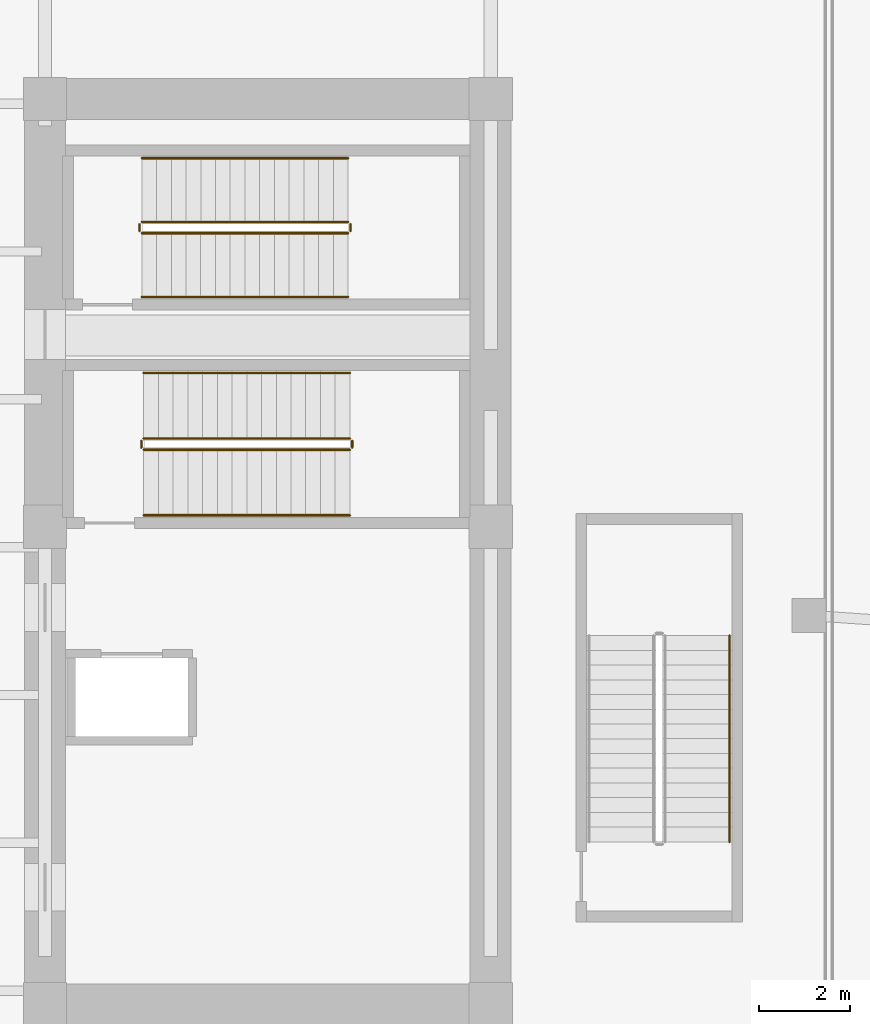
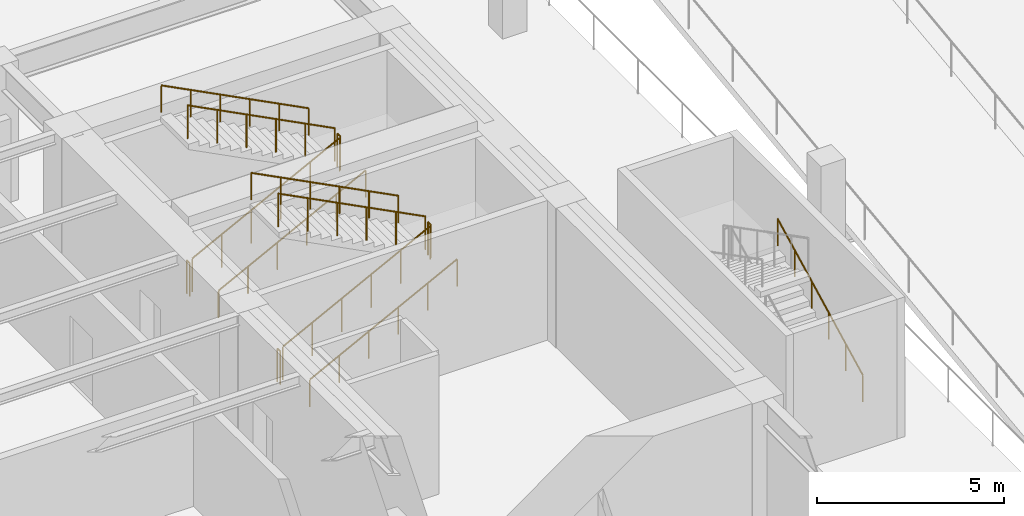
# One storey, part 11 of 12: 13 railings.
"""IFC4 building model written with IfcOpenShell, lengths in metres."""

from ifc_helpers import new_model, si_unit, direction, frame, origin, origin_2d, place, context, subcontext, project, spatial, circle, extrude, material, type_object, element, save


model = new_model("IFC4")

# Units and contexts
model_context = context("Model", 3, precision=1e-05, world=origin(), true_north=direction((0.0, 1.0)))
body_context = subcontext(model_context, "Body", "Model", "MODEL_VIEW")
ifc_project = project(units=[si_unit("LENGTHUNIT", "METRE"), si_unit("AREAUNIT", "SQUARE_METRE"), si_unit("VOLUMEUNIT", "CUBIC_METRE"), si_unit("PLANEANGLEUNIT", "RADIAN"), si_unit("MASSUNIT", "GRAM", prefix="KILO")], contexts=[model_context])

# Site, building, storey
site_placement = place(None, origin())
site = spatial("IfcSite", under=ifc_project, at=site_placement, CompositionType="ELEMENT")
building_placement = place(site_placement, origin())
building = spatial("IfcBuilding", under=site, at=building_placement, Name="Kolvaren Arena Tower", CompositionType="ELEMENT")
storey_placement = place(building_placement, frame((0.0, 0.0, -5.0)))
storey = spatial("IfcBuildingStorey", under=building, at=storey_placement, Name="B01", CompositionType="ELEMENT", Elevation=-5.0)

# Railings
ifc_material_1 = material(Name="Painted galvanized steel", Category="steel")
railing_type_1 = type_object("IfcRailingType", Name="GUARD-ST-110", PredefinedType="GUARDRAIL", material=ifc_material_1)
railing_1_placement = place(storey_placement, frame((52.719970703125, 31.639892578125, 0.166748046875)))
element("IfcRailing", 1, at=railing_1_placement, inside=storey, type_object=railing_type_1, Name="B01 ST-E1 stair guard 1", PredefinedType="GUARDRAIL", context=body_context, shape_type="SweptSolid", body=[
    extrude(circle(Radius=0.02392578125, at=origin_2d()), frame((0.0, 0.0, 1.076171875), z_axis=(0.889257211316, 0.0, 0.457407490234), x_axis=(0.0, 1.0, 0.0)), (0.0, 0.0, 1.0), 5.10107421875),
    extrude(circle(Radius=0.02099609375, at=origin_2d()), origin(), (0.0, 0.0, 1.0), 1.052001953125),
    extrude(circle(Radius=0.02099609375, at=origin_2d()), frame((0.9072265625, 0.0, 0.466552734375)), (0.0, 0.0, 1.0), 1.052001953125),
    extrude(circle(Radius=0.02099609375, at=origin_2d()), frame((1.814453125, 0.0, 0.933349609375)), (0.0, 0.0, 1.0), 1.052001953125),
    extrude(circle(Radius=0.02099609375, at=origin_2d()), frame((2.7216796875, 0.0, 1.39990234375)), (0.0, 0.0, 1.0), 1.052001953125),
    extrude(circle(Radius=0.02099609375, at=origin_2d()), frame((3.62890625, 0.0, 1.86669921875)), (0.0, 0.0, 1.0), 1.052001953125),
    extrude(circle(Radius=0.02099609375, at=origin_2d()), frame((4.5361328125, 0.0, 2.333251953125)), (0.0, 0.0, 1.0), 1.052001953125),
])
railing_2_placement = place(storey_placement, frame((57.305908203125, 31.68994140625, 2.5)))
element("IfcRailing", 2, at=railing_2_placement, inside=storey, type_object=railing_type_1, Name="B01 ST-E1 stair guard 2", PredefinedType="GUARDRAIL", context=body_context, shape_type="SweptSolid", body=[
    extrude(circle(Radius=0.02392578125, at=origin_2d()), frame((0.0, 0.0, 1.076171875), z_axis=(0.0, 1.0, 0.0), x_axis=(-1.0, 0.0, 0.0)), (0.0, 0.0, 1.0), 0.150146484375),
    extrude(circle(Radius=0.02099609375, at=origin_2d()), origin(), (0.0, 0.0, 1.0), 1.052001953125),
    extrude(circle(Radius=0.02099609375, at=origin_2d()), frame((0.0, 0.150146484375, 0.0)), (0.0, 0.0, 1.0), 1.052001953125),
])
railing_3_placement = place(storey_placement, frame((57.256103515625, 31.889892578125, 2.666748046875)))
element("IfcRailing", 3, at=railing_3_placement, inside=storey, type_object=railing_type_1, Name="B01 ST-E1 stair guard 3", PredefinedType="GUARDRAIL", context=body_context, shape_type="SweptSolid", body=[
    extrude(circle(Radius=0.02392578125, at=origin_2d()), frame((0.0, 0.0, 1.076171875), z_axis=(-0.889257211316, 0.0, 0.457407490234), x_axis=(0.0, -1.0, 0.0)), (0.0, 0.0, 1.0), 5.10107421875),
    extrude(circle(Radius=0.02099609375, at=origin_2d()), origin(), (0.0, 0.0, 1.0), 1.052001953125),
    extrude(circle(Radius=0.02099609375, at=origin_2d()), frame((-0.9072265625, 0.0, 0.466552734375)), (0.0, 0.0, 1.0), 1.052001953125),
    extrude(circle(Radius=0.02099609375, at=origin_2d()), frame((-1.814453125, 0.0, 0.933349609375)), (0.0, 0.0, 1.0), 1.052001953125),
    extrude(circle(Radius=0.02099609375, at=origin_2d()), frame((-2.7216796875, 0.0, 1.39990234375)), (0.0, 0.0, 1.0), 1.052001953125),
    extrude(circle(Radius=0.02099609375, at=origin_2d()), frame((-3.62890625, 0.0, 1.86669921875)), (0.0, 0.0, 1.0), 1.052001953125),
    extrude(circle(Radius=0.02099609375, at=origin_2d()), frame((-4.5361328125, 0.0, 2.333251953125)), (0.0, 0.0, 1.0), 1.052001953125),
])
railing_4_placement = place(storey_placement, frame((52.669921875, 31.68994140625, 0.0)))
element("IfcRailing", 4, at=railing_4_placement, inside=storey, type_object=railing_type_1, Name="B01 ST-E1 stair guard 4", PredefinedType="GUARDRAIL", context=body_context, shape_type="SweptSolid", body=[
    extrude(circle(Radius=0.02392578125, at=origin_2d()), frame((0.0, 0.0, 1.076171875), z_axis=(0.0, 1.0, 0.0), x_axis=(-1.0, 0.0, 0.0)), (0.0, 0.0, 1.0), 0.150146484375),
    extrude(circle(Radius=0.02099609375, at=origin_2d()), origin(), (0.0, 0.0, 1.0), 1.052001953125),
    extrude(circle(Radius=0.02099609375, at=origin_2d()), frame((0.0, 0.150146484375, 0.0)), (0.0, 0.0, 1.0), 1.052001953125),
])
railing_5_placement = place(storey_placement, frame((52.679931640625, 36.39990234375, 0.166748046875)))
element("IfcRailing", 5, at=railing_5_placement, inside=storey, type_object=railing_type_1, Name="B01 ST-E2 stair guard 1", PredefinedType="GUARDRAIL", context=body_context, shape_type="SweptSolid", body=[
    extrude(circle(Radius=0.02392578125, at=origin_2d()), frame((0.0, 0.0, 1.076171875), z_axis=(0.889257211316, 0.0, 0.457407490234), x_axis=(0.0, 1.0, 0.0)), (0.0, 0.0, 1.0), 5.10107421875),
    extrude(circle(Radius=0.02099609375, at=origin_2d()), origin(), (0.0, 0.0, 1.0), 1.052001953125),
    extrude(circle(Radius=0.02099609375, at=origin_2d()), frame((0.9072265625, 0.0, 0.466552734375)), (0.0, 0.0, 1.0), 1.052001953125),
    extrude(circle(Radius=0.02099609375, at=origin_2d()), frame((1.814453125, 0.0, 0.933349609375)), (0.0, 0.0, 1.0), 1.052001953125),
    extrude(circle(Radius=0.02099609375, at=origin_2d()), frame((2.7216796875, 0.0, 1.39990234375)), (0.0, 0.0, 1.0), 1.052001953125),
    extrude(circle(Radius=0.02099609375, at=origin_2d()), frame((3.62890625, 0.0, 1.86669921875)), (0.0, 0.0, 1.0), 1.052001953125),
    extrude(circle(Radius=0.02099609375, at=origin_2d()), frame((4.5361328125, 0.0, 2.333251953125)), (0.0, 0.0, 1.0), 1.052001953125),
])
railing_6_placement = place(storey_placement, frame((57.26611328125, 36.449951171875, 2.5)))
element("IfcRailing", 6, at=railing_6_placement, inside=storey, type_object=railing_type_1, Name="B01 ST-E2 stair guard 2", PredefinedType="GUARDRAIL", context=body_context, shape_type="SweptSolid", body=[
    extrude(circle(Radius=0.02392578125, at=origin_2d()), frame((0.0, 0.0, 1.076171875), z_axis=(0.0, 1.0, 0.0), x_axis=(-1.0, 0.0, 0.0)), (0.0, 0.0, 1.0), 0.150146484375),
    extrude(circle(Radius=0.02099609375, at=origin_2d()), origin(), (0.0, 0.0, 1.0), 1.052001953125),
    extrude(circle(Radius=0.02099609375, at=origin_2d()), frame((0.0, 0.150146484375, 0.0)), (0.0, 0.0, 1.0), 1.052001953125),
])
railing_7_placement = place(storey_placement, frame((57.216064453125, 36.64990234375, 2.666748046875)))
element("IfcRailing", 7, at=railing_7_placement, inside=storey, type_object=railing_type_1, Name="B01 ST-E2 stair guard 3", PredefinedType="GUARDRAIL", context=body_context, shape_type="SweptSolid", body=[
    extrude(circle(Radius=0.02392578125, at=origin_2d()), frame((0.0, 0.0, 1.076171875), z_axis=(-0.889257211316, 0.0, 0.457407490234), x_axis=(0.0, -1.0, 0.0)), (0.0, 0.0, 1.0), 5.10107421875),
    extrude(circle(Radius=0.02099609375, at=origin_2d()), origin(), (0.0, 0.0, 1.0), 1.052001953125),
    extrude(circle(Radius=0.02099609375, at=origin_2d()), frame((-0.9072265625, 0.0, 0.466552734375)), (0.0, 0.0, 1.0), 1.052001953125),
    extrude(circle(Radius=0.02099609375, at=origin_2d()), frame((-1.814453125, 0.0, 0.933349609375)), (0.0, 0.0, 1.0), 1.052001953125),
    extrude(circle(Radius=0.02099609375, at=origin_2d()), frame((-2.7216796875, 0.0, 1.39990234375)), (0.0, 0.0, 1.0), 1.052001953125),
    extrude(circle(Radius=0.02099609375, at=origin_2d()), frame((-3.62890625, 0.0, 1.86669921875)), (0.0, 0.0, 1.0), 1.052001953125),
    extrude(circle(Radius=0.02099609375, at=origin_2d()), frame((-4.5361328125, 0.0, 2.333251953125)), (0.0, 0.0, 1.0), 1.052001953125),
])
railing_8_placement = place(storey_placement, frame((52.6298828125, 36.449951171875, 0.0)))
element("IfcRailing", 8, at=railing_8_placement, inside=storey, type_object=railing_type_1, Name="B01 ST-E2 stair guard 4", PredefinedType="GUARDRAIL", context=body_context, shape_type="SweptSolid", body=[
    extrude(circle(Radius=0.02392578125, at=origin_2d()), frame((0.0, 0.0, 1.076171875), z_axis=(0.0, 1.0, 0.0), x_axis=(-1.0, 0.0, 0.0)), (0.0, 0.0, 1.0), 0.150146484375),
    extrude(circle(Radius=0.02099609375, at=origin_2d()), origin(), (0.0, 0.0, 1.0), 1.052001953125),
    extrude(circle(Radius=0.02099609375, at=origin_2d()), frame((0.0, 0.150146484375, 0.0)), (0.0, 0.0, 1.0), 1.052001953125),
])
ifc_material_2 = material(Name="Brushed stainless steel handrail", Category="steel")
railing_type_2 = type_object("IfcRailingType", Name="HRAIL-900", PredefinedType="HANDRAIL", material=ifc_material_2)
railing_9_placement = place(storey_placement, frame((52.719970703125, 30.199951171875, 0.166748046875)))
element("IfcRailing", 9, at=railing_9_placement, inside=storey, type_object=railing_type_2, Name="B01 ST-E1 stair handrail 1", PredefinedType="HANDRAIL", context=body_context, shape_type="SweptSolid", body=[
    extrude(circle(Radius=0.02392578125, at=origin_2d()), frame((0.0, 0.0, 0.8759765625), z_axis=(0.889257211316, 0.0, 0.457407490234), x_axis=(0.0, 1.0, 0.0)), (0.0, 0.0, 1.0), 5.10107421875),
    extrude(circle(Radius=0.02099609375, at=origin_2d()), origin(), (0.0, 0.0, 1.0), 0.851806640625),
    extrude(circle(Radius=0.02099609375, at=origin_2d()), frame((0.9072265625, 0.0, 0.466552734375)), (0.0, 0.0, 1.0), 0.851806640625),
    extrude(circle(Radius=0.02099609375, at=origin_2d()), frame((1.814453125, 0.0, 0.933349609375)), (0.0, 0.0, 1.0), 0.851806640625),
    extrude(circle(Radius=0.02099609375, at=origin_2d()), frame((2.7216796875, 0.0, 1.39990234375)), (0.0, 0.0, 1.0), 0.851806640625),
    extrude(circle(Radius=0.02099609375, at=origin_2d()), frame((3.62890625, 0.0, 1.86669921875)), (0.0, 0.0, 1.0), 0.851806640625),
    extrude(circle(Radius=0.02099609375, at=origin_2d()), frame((4.5361328125, 0.0, 2.333251953125)), (0.0, 0.0, 1.0), 0.851806640625),
])
railing_10_placement = place(storey_placement, frame((57.256103515625, 33.330078125, 2.666748046875)))
element("IfcRailing", 10, at=railing_10_placement, inside=storey, type_object=railing_type_2, Name="B01 ST-E1 stair handrail 2", PredefinedType="HANDRAIL", context=body_context, shape_type="SweptSolid", body=[
    extrude(circle(Radius=0.02392578125, at=origin_2d()), frame((0.0, 0.0, 0.8759765625), z_axis=(-0.889257211316, 0.0, 0.457407490234), x_axis=(0.0, -1.0, 0.0)), (0.0, 0.0, 1.0), 5.10107421875),
    extrude(circle(Radius=0.02099609375, at=origin_2d()), origin(), (0.0, 0.0, 1.0), 0.851806640625),
    extrude(circle(Radius=0.02099609375, at=origin_2d()), frame((-0.9072265625, 0.0, 0.466552734375)), (0.0, 0.0, 1.0), 0.851806640625),
    extrude(circle(Radius=0.02099609375, at=origin_2d()), frame((-1.814453125, 0.0, 0.933349609375)), (0.0, 0.0, 1.0), 0.851806640625),
    extrude(circle(Radius=0.02099609375, at=origin_2d()), frame((-2.7216796875, 0.0, 1.39990234375)), (0.0, 0.0, 1.0), 0.851806640625),
    extrude(circle(Radius=0.02099609375, at=origin_2d()), frame((-3.62890625, 0.0, 1.86669921875)), (0.0, 0.0, 1.0), 0.851806640625),
    extrude(circle(Radius=0.02099609375, at=origin_2d()), frame((-4.5361328125, 0.0, 2.333251953125)), (0.0, 0.0, 1.0), 0.851806640625),
])
railing_11_placement = place(storey_placement, frame((52.679931640625, 35.0, 0.166748046875)))
element("IfcRailing", 11, at=railing_11_placement, inside=storey, type_object=railing_type_2, Name="B01 ST-E2 stair handrail 1", PredefinedType="HANDRAIL", context=body_context, shape_type="SweptSolid", body=[
    extrude(circle(Radius=0.02392578125, at=origin_2d()), frame((0.0, 0.0, 0.8759765625), z_axis=(0.889257211316, 0.0, 0.457407490234), x_axis=(0.0, 1.0, 0.0)), (0.0, 0.0, 1.0), 5.10107421875),
    extrude(circle(Radius=0.02099609375, at=origin_2d()), origin(), (0.0, 0.0, 1.0), 0.851806640625),
    extrude(circle(Radius=0.02099609375, at=origin_2d()), frame((0.9072265625, 0.0, 0.466552734375)), (0.0, 0.0, 1.0), 0.851806640625),
    extrude(circle(Radius=0.02099609375, at=origin_2d()), frame((1.814453125, 0.0, 0.933349609375)), (0.0, 0.0, 1.0), 0.851806640625),
    extrude(circle(Radius=0.02099609375, at=origin_2d()), frame((2.7216796875, 0.0, 1.39990234375)), (0.0, 0.0, 1.0), 0.851806640625),
    extrude(circle(Radius=0.02099609375, at=origin_2d()), frame((3.62890625, 0.0, 1.86669921875)), (0.0, 0.0, 1.0), 0.851806640625),
    extrude(circle(Radius=0.02099609375, at=origin_2d()), frame((4.5361328125, 0.0, 2.333251953125)), (0.0, 0.0, 1.0), 0.851806640625),
])
railing_12_placement = place(storey_placement, frame((57.216064453125, 38.050048828125, 2.666748046875)))
element("IfcRailing", 12, at=railing_12_placement, inside=storey, type_object=railing_type_2, Name="B01 ST-E2 stair handrail 2", PredefinedType="HANDRAIL", context=body_context, shape_type="SweptSolid", body=[
    extrude(circle(Radius=0.02392578125, at=origin_2d()), frame((0.0, 0.0, 0.8759765625), z_axis=(-0.889257211316, 0.0, 0.457407490234), x_axis=(0.0, -1.0, 0.0)), (0.0, 0.0, 1.0), 5.10107421875),
    extrude(circle(Radius=0.02099609375, at=origin_2d()), origin(), (0.0, 0.0, 1.0), 0.851806640625),
    extrude(circle(Radius=0.02099609375, at=origin_2d()), frame((-0.9072265625, 0.0, 0.466552734375)), (0.0, 0.0, 1.0), 0.851806640625),
    extrude(circle(Radius=0.02099609375, at=origin_2d()), frame((-1.814453125, 0.0, 0.933349609375)), (0.0, 0.0, 1.0), 0.851806640625),
    extrude(circle(Radius=0.02099609375, at=origin_2d()), frame((-2.7216796875, 0.0, 1.39990234375)), (0.0, 0.0, 1.0), 0.851806640625),
    extrude(circle(Radius=0.02099609375, at=origin_2d()), frame((-3.62890625, 0.0, 1.86669921875)), (0.0, 0.0, 1.0), 0.851806640625),
    extrude(circle(Radius=0.02099609375, at=origin_2d()), frame((-4.5361328125, 0.0, 2.333251953125)), (0.0, 0.0, 1.0), 0.851806640625),
])
railing_13_placement = place(storey_placement, frame((65.60009765625, 23.02001953125, 0.166748046875)))
element("IfcRailing", 13, at=railing_13_placement, inside=storey, type_object=railing_type_2, Name="B01 ST-B2 stair handrail 1", PredefinedType="HANDRAIL", context=body_context, shape_type="SweptSolid", body=[
    extrude(circle(Radius=0.02392578125, at=origin_2d()), frame((0.0, 0.0, 0.8759765625), z_axis=(0.0, 0.889247197123, 0.45742695855), x_axis=(-1.0, 0.0, 0.0)), (0.0, 0.0, 1.0), 5.100830078125),
    extrude(circle(Radius=0.02099609375, at=origin_2d()), origin(), (0.0, 0.0, 1.0), 0.851806640625),
    extrude(circle(Radius=0.02099609375, at=origin_2d()), frame((0.0, 0.9072265625, 0.466552734375)), (0.0, 0.0, 1.0), 0.851806640625),
    extrude(circle(Radius=0.02099609375, at=origin_2d()), frame((0.0, 1.814453125, 0.933349609375)), (0.0, 0.0, 1.0), 0.851806640625),
    extrude(circle(Radius=0.02099609375, at=origin_2d()), frame((0.0, 2.721435546875, 1.39990234375)), (0.0, 0.0, 1.0), 0.851806640625),
    extrude(circle(Radius=0.02099609375, at=origin_2d()), frame((0.0, 3.628662109375, 1.86669921875)), (0.0, 0.0, 1.0), 0.851806640625),
    extrude(circle(Radius=0.02099609375, at=origin_2d()), frame((0.0, 4.535888671875, 2.333251953125)), (0.0, 0.0, 1.0), 0.851806640625),
])

save(model, "model.ifc")
